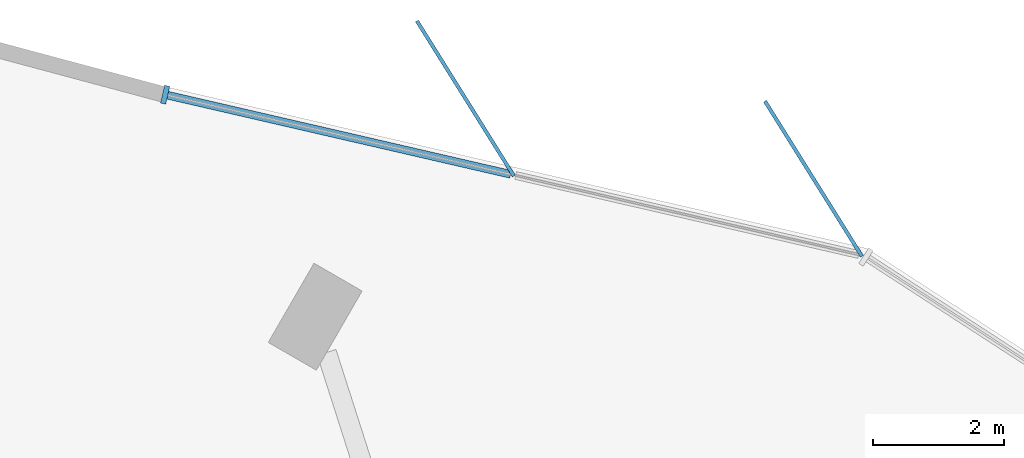
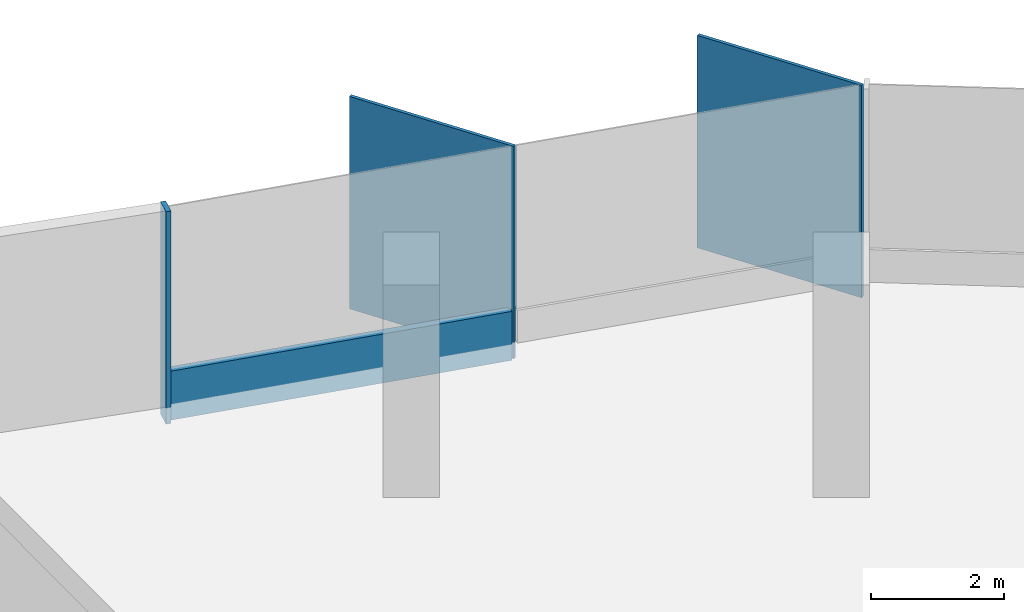
# One storey, part 6 of 13: 4 members, 1 element without a shape of its own.
"""IFC4 building model written with IfcOpenShell, lengths in metres."""

import ifcopenshell
import ifcopenshell.guid

model = None  # the IFC model being written
_history = None  # IfcOwnerHistory: only IFC2X3 demands one
_inside = {}  # id of a spatial element -> (the spatial element, [elements in it])
_under = {}  # id of a project, library or spatial element -> (it, [spatial elements below it])
_declared = {}  # id of a project -> (the project, [libraries it declares])
_typed = {}  # id of a type object -> (the type object, [elements of that type])
_made_of = {}  # id of a material, layer set ... -> (it, [elements and type objects made of it])


def new_model(schema):
    """Start an empty IFC model of exactly this schema.

    Asked for "IFC4X3", IfcOpenShell would pick the latest addendum, in which some entities
    have other attributes; the version numbers below select the first issue.
    IFC2X3 requires an IfcOwnerHistory on every rooted entity: one is made here for all.
    """
    global model, _history
    if schema == "IFC4X3":
        model = ifcopenshell.file(schema_version=(4, 3, 0, 0))
    else:
        model = ifcopenshell.file(schema=schema)
    _inside.clear()
    _under.clear()
    _declared.clear()
    _typed.clear()
    _made_of.clear()
    _history = None
    if model.schema == "IFC2X3":
        org = make("IfcOrganization", Name="unknown")
        user = make(
            "IfcPersonAndOrganization",
            ThePerson=make("IfcPerson", FamilyName="unknown"),
            TheOrganization=org,
        )
        app = make(
            "IfcApplication",
            ApplicationDeveloper=org,
            Version="unknown",
            ApplicationFullName="unknown",
            ApplicationIdentifier="unknown",
        )
        _history = make(
            "IfcOwnerHistory",
            OwningUser=user,
            OwningApplication=app,
            ChangeAction="ADDED",
            CreationDate=0,
        )
    return model


def make(cls, **values):
    """One entity of the class cls with the attributes given. An attribute that is None is left unset."""
    return model.create_entity(
        cls, **{name: value for name, value in values.items() if value is not None}
    )


def rooted(cls, **values):
    """An entity with a GlobalId (a new one), such as an element, a storey or a relation."""
    return make(cls, GlobalId=ifcopenshell.guid.new(), OwnerHistory=_history, **values)


def si_unit(unit_type, name, prefix=None):
    """IfcSIUnit, for example si_unit("LENGTHUNIT", "METRE", prefix="MILLI")."""
    return make("IfcSIUnit", UnitType=unit_type, Prefix=prefix, Name=name)


def assignment(units):
    """IfcUnitAssignment: the units of a project."""
    return None if units is None else make("IfcUnitAssignment", Units=units)


def point(xyz):
    """IfcCartesianPoint."""
    return None if xyz is None else make("IfcCartesianPoint", Coordinates=xyz)


def direction(xyz):
    """IfcDirection."""
    return None if xyz is None else make("IfcDirection", DirectionRatios=xyz)


def frame(location, z_axis=None, x_axis=None):
    """IfcAxis2Placement3D, a coordinate frame: its origin and axes. An axis left out is left unset."""
    return make(
        "IfcAxis2Placement3D",
        Location=point(location),
        Axis=direction(z_axis),
        RefDirection=direction(x_axis),
    )


def frame_2d(location, x_axis=None):
    """IfcAxis2Placement2D, a coordinate frame in the plane: its origin and x axis."""
    return make(
        "IfcAxis2Placement2D", Location=point(location), RefDirection=direction(x_axis)
    )


def origin():
    """The frame at (0, 0, 0) with its axes left unset."""
    return frame((0.0, 0.0, 0.0))


def origin_2d():
    """The frame at (0, 0) in the plane with its x axis left unset."""
    return frame_2d((0.0, 0.0))


def place(relative_to, where):
    """IfcLocalPlacement: puts the frame where relative to a parent placement (None: the world)."""
    return make(
        "IfcLocalPlacement", PlacementRelTo=relative_to, RelativePlacement=where
    )


def context(
    kind, dimensions, precision=None, world=None, true_north=None, identifier=None
):
    """IfcGeometricRepresentationContext, for example the 3D "Model" context."""
    return make(
        "IfcGeometricRepresentationContext",
        ContextIdentifier=identifier,
        ContextType=kind,
        CoordinateSpaceDimension=dimensions,
        Precision=precision,
        WorldCoordinateSystem=world,
        TrueNorth=true_north,
    )


def subcontext(parent, identifier, kind, view, scale=None):
    """IfcGeometricRepresentationSubContext, for example "Body" below "Model"."""
    return make(
        "IfcGeometricRepresentationSubContext",
        ContextIdentifier=identifier,
        ContextType=kind,
        ParentContext=parent,
        TargetScale=scale,
        TargetView=view,
    )


def project(units=None, contexts=None):
    """IfcProject with its units and contexts."""
    return rooted(
        "IfcProject",
        Name="project",
        RepresentationContexts=contexts,
        UnitsInContext=assignment(units),
    )


def spatial(cls, under=None, at=None, **own):
    """A site, building, storey or space (cls), placed at a placement, below another one or the project."""
    s = rooted(cls, ObjectPlacement=at, **own)
    if under is not None:
        _under.setdefault(under.id(), (under, []))[1].append(s)
    return s


def profile(cls, at=None, kind="AREA", **sizes):
    """A parametric profile (cls). Its sizes go by their IFC names, for example OverallWidth=200.0."""
    return make(cls, ProfileType=kind, Position=at, **sizes)


def rectangle(**sizes):
    """IfcRectangleProfileDef."""
    return profile("IfcRectangleProfileDef", **sizes)


def extrude(swept, where, along, depth):
    """IfcExtrudedAreaSolid: the profile swept, set in the frame where, extruded along a direction by depth."""
    return make(
        "IfcExtrudedAreaSolid",
        SweptArea=swept,
        Position=where,
        ExtrudedDirection=direction(along),
        Depth=depth,
    )


def shape(context_of_items, identifier, shape_type, items):
    """IfcShapeRepresentation: the items that make up one representation, for example the "Body"."""
    return make(
        "IfcShapeRepresentation",
        ContextOfItems=context_of_items,
        RepresentationIdentifier=identifier,
        RepresentationType=shape_type,
        Items=items,
    )


def material(Name=None, Category=None):
    """IfcMaterial."""
    return make("IfcMaterial", Name=Name, Category=Category)


def material_profile(
    of_material, cross_section, Name=None, Category=None, Priority=None
):
    """IfcMaterialProfile: a cross section and its material."""
    return make(
        "IfcMaterialProfile",
        Name=Name,
        Material=of_material,
        Profile=cross_section,
        Priority=Priority,
        Category=Category,
    )


def profile_set(profiles, Name=None, composite=None):
    """IfcMaterialProfileSet."""
    return make(
        "IfcMaterialProfileSet",
        Name=Name,
        MaterialProfiles=profiles,
        CompositeProfile=composite,
    )


def made_of(thing, what):
    """Note that an element or type object is made of a material, layer set ...; save() writes the relation."""
    if what is not None:
        _made_of.setdefault(what.id(), (what, []))[1].append(thing)
    return thing


def type_object(cls, material=None, **own):
    """A type object (cls), such as IfcWallType, which elements share."""
    return made_of(rooted(cls, **own), material)


def element(
    cls,
    number,
    at=None,
    inside=None,
    cuts=None,
    type_object=None,
    material=None,
    context=None,
    identifier="Body",
    shape_type=None,
    held_by="IfcProductDefinitionShape",
    body=None,
    shapes=None,
    **own,
):
    """One element of the class cls, such as IfcWall. Its Tag is "e" and its number.

    at: its placement. inside: the storey or other place that contains it. cuts: it is an
    opening in that element (IfcRelVoidsElement). A single representation is given by context,
    identifier, shape_type and body (its items); several are given by shapes. held_by: the class
    of the entity that holds the representations. save() writes the other relations.
    """
    e = rooted(cls, Tag="e%d" % number, ObjectPlacement=at, **own)
    if body is not None:
        shapes = [shape(context, identifier, shape_type, body)]
    if shapes is not None:
        e.Representation = make(held_by, Representations=shapes)
    if inside is not None:
        _inside.setdefault(inside.id(), (inside, []))[1].append(e)
    if cuts is not None:
        rooted(
            "IfcRelVoidsElement", RelatingBuildingElement=cuts, RelatedOpeningElement=e
        )
    if type_object is not None:
        _typed.setdefault(type_object.id(), (type_object, []))[1].append(e)
    return made_of(e, material)


def aggregate(whole, parts):
    """IfcRelAggregates: a whole, such as a stair, and the parts it consists of."""
    return rooted("IfcRelAggregates", RelatingObject=whole, RelatedObjects=parts)


def save(model, path):
    """Write the relations noted so far, then the file.

    IfcRelAggregates (storeys below a building ...), IfcRelContainedInSpatialStructure (elements
    in a storey), IfcRelDefinesByType, IfcRelAssociatesMaterial and IfcRelDeclares: one each for
    every whole, place, type object, material and project.
    """
    for whole, parts in _under.values():
        aggregate(whole, parts)
    for where, things in _inside.values():
        rooted(
            "IfcRelContainedInSpatialStructure",
            RelatedElements=things,
            RelatingStructure=where,
        )
    for kind, things in _typed.values():
        rooted("IfcRelDefinesByType", RelatedObjects=things, RelatingType=kind)
    for what, things in _made_of.values():
        rooted("IfcRelAssociatesMaterial", RelatedObjects=things, RelatingMaterial=what)
    for by, libraries in _declared.values():
        rooted("IfcRelDeclares", RelatingContext=by, RelatedDefinitions=libraries)
    model.write(path)


model = new_model("IFC4")

# Units and contexts
model_context = context("Model", 3, precision=1e-05, world=origin(), true_north=direction((0.0, 1.0)))
body_context = subcontext(model_context, "Body", "Model", "MODEL_VIEW")
ifc_project = project(units=[si_unit("LENGTHUNIT", "METRE"), si_unit("AREAUNIT", "SQUARE_METRE"), si_unit("VOLUMEUNIT", "CUBIC_METRE"), si_unit("PLANEANGLEUNIT", "RADIAN"), si_unit("MASSUNIT", "GRAM", prefix="KILO")], contexts=[model_context])

# Site, building, storey
site_placement = place(None, origin())
site = spatial("IfcSite", under=ifc_project, at=site_placement, CompositionType="ELEMENT")
building_placement = place(site_placement, origin())
building = spatial("IfcBuilding", under=site, at=building_placement, Name="Tanit Gate Tower", CompositionType="ELEMENT")
storey_placement = place(building_placement, frame((0.0, 0.0, 314.300048828125)))
storey = spatial("IfcBuildingStorey", under=building, at=storey_placement, Name="L70", CompositionType="ELEMENT", Elevation=314.300048828125)

# Curtain wall, members
ifc_material_1 = material(Name="Aluminium bronze anodised and glass", Category="aluminium")
curtain_wall_type = type_object("IfcCurtainWallType", Name="Curtain wall typical high", PredefinedType="NOTDEFINED", material=ifc_material_1)
curtain_wall_placement = place(storey_placement, origin())
curtain_wall = element("IfcCurtainWall", 1, at=curtain_wall_placement, inside=storey, type_object=curtain_wall_type, Name="Curtain wall L70 NE3", PredefinedType="NOTDEFINED")
ifc_material_2 = material(Name="Aluminium bronze anodised", Category="aluminium")
ifc_material_profile_1 = material_profile(ifc_material_2, rectangle(XDim=2.800048828125, YDim=0.055908203125, at=origin_2d()), Name="56x2800 bronze fin mullion")
ifc_profile_set_1 = profile_set([ifc_material_profile_1], Name="Aluminium bronze anodised")
member_type_1 = type_object("IfcMemberType", Name="FIN MULLION 56x2800 bronze", PredefinedType="MULLION", material=ifc_profile_set_1)
member_1_placement = place(storey_placement, frame((-1.688232421875, 31.22216796875, -0.300048828125), z_axis=(0.0, 0.0, 1.0), x_axis=(0.530209551206, -0.847866635628, 0.0)))
member_1 = element("IfcMember", 2, at=member_1_placement, type_object=member_type_1, Name="Fin mullion L70 NE3.1", PredefinedType="MULLION", context=body_context, shape_type="SweptSolid", body=[
    extrude(rectangle(XDim=2.800048828125, YDim=0.055908203125, at=origin_2d()), origin(), (0.0, 0.0, 1.0), 3.89990234375),
])
member_2_placement = place(storey_placement, frame((-7.017578125, 32.45068359375, -0.300048828125), z_axis=(0.0, 0.0, 1.0), x_axis=(0.530209551206, -0.847866635628, 0.0)))
member_2 = element("IfcMember", 3, at=member_2_placement, type_object=member_type_1, Name="Fin mullion L70 NE3.2", PredefinedType="MULLION", context=body_context, shape_type="SweptSolid", body=[
    extrude(rectangle(XDim=2.800048828125, YDim=0.055908203125, at=origin_2d()), origin(), (0.0, 0.0, 1.0), 3.89990234375),
])
ifc_material_3 = material(Name="Aluminium bronze anodised", Category="aluminium")
ifc_material_profile_2 = material_profile(ifc_material_3, rectangle(XDim=0.280029296875, YDim=0.080078125, at=origin_2d()), Name="80x280 bronze mullion")
ifc_profile_set_2 = profile_set([ifc_material_profile_2], Name="Aluminium bronze anodised")
member_type_2 = type_object("IfcMemberType", Name="Mullion 80x280 typical high", PredefinedType="MULLION", material=ifc_profile_set_2)
member_3_placement = place(storey_placement, frame((-11.615234375, 32.5087890625, -0.300048828125), z_axis=(0.0, 0.0, 1.0), x_axis=(-0.224617478487, -0.974447016701, 0.0)))
member_3 = element("IfcMember", 4, at=member_3_placement, type_object=member_type_2, Name="Mullion L70 NE3.3", PredefinedType="MULLION", context=body_context, shape_type="SweptSolid", body=[
    extrude(rectangle(XDim=0.280029296875, YDim=0.080078125, at=origin_2d()), origin(), (0.0, 0.0, 1.0), 3.89990234375),
])
ifc_material_4 = material(Name="Aluminium bronze anodised", Category="aluminium")
ifc_material_profile_3 = material_profile(ifc_material_4, rectangle(XDim=0.1201171875, YDim=0.89990234375, at=origin_2d()), Name="120x900 bronze transom")
ifc_profile_set_3 = profile_set([ifc_material_profile_3], Name="Aluminium bronze anodised")
member_type_3 = type_object("IfcMemberType", Name="Transom 120x900 typical high", PredefinedType="USERDEFINED", material=ifc_profile_set_3)
member_4_placement = place(storey_placement, frame((-6.324951171875, 31.289306640625, 0.14990234375), z_axis=(-0.974436988188, 0.22466098026, 0.0), x_axis=(-0.22466098026, -0.974436988188, 0.0)))
member_4 = element("IfcMember", 5, at=member_4_placement, type_object=member_type_3, Name="Transom L70 NE3.2", ObjectType="TRANSOM", PredefinedType="USERDEFINED", context=body_context, shape_type="SweptSolid", body=[
    extrude(rectangle(XDim=0.1201171875, YDim=0.89990234375, at=origin_2d()), origin(), (0.0, 0.0, 1.0), 5.388916015625),
])
aggregate(curtain_wall, [member_1, member_2, member_3, member_4])

save(model, "model.ifc")
